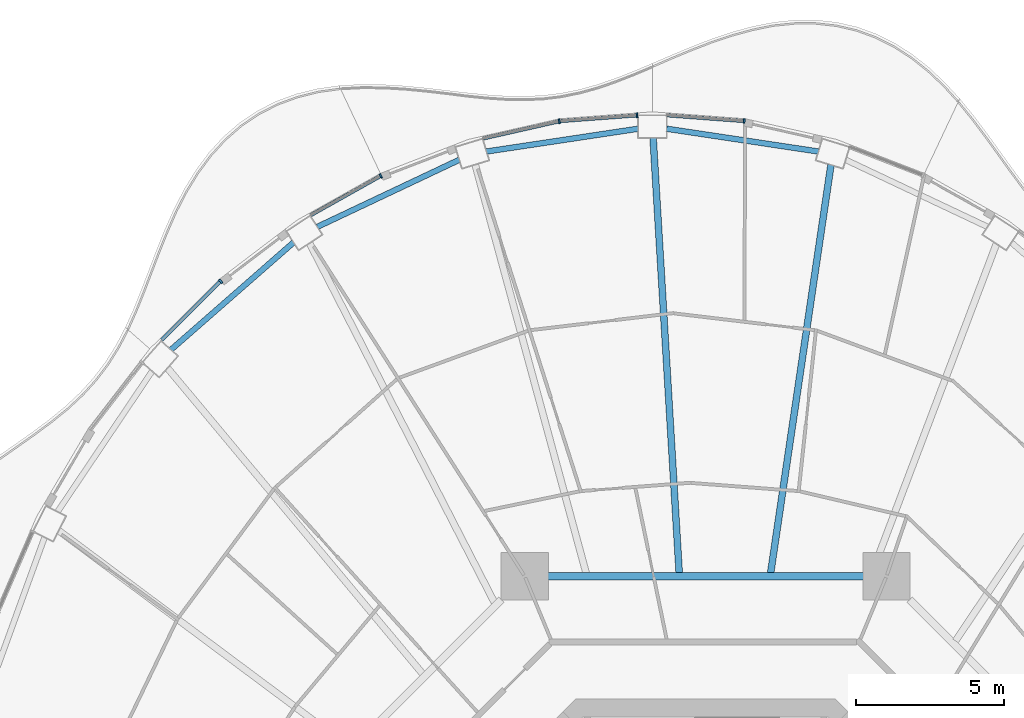
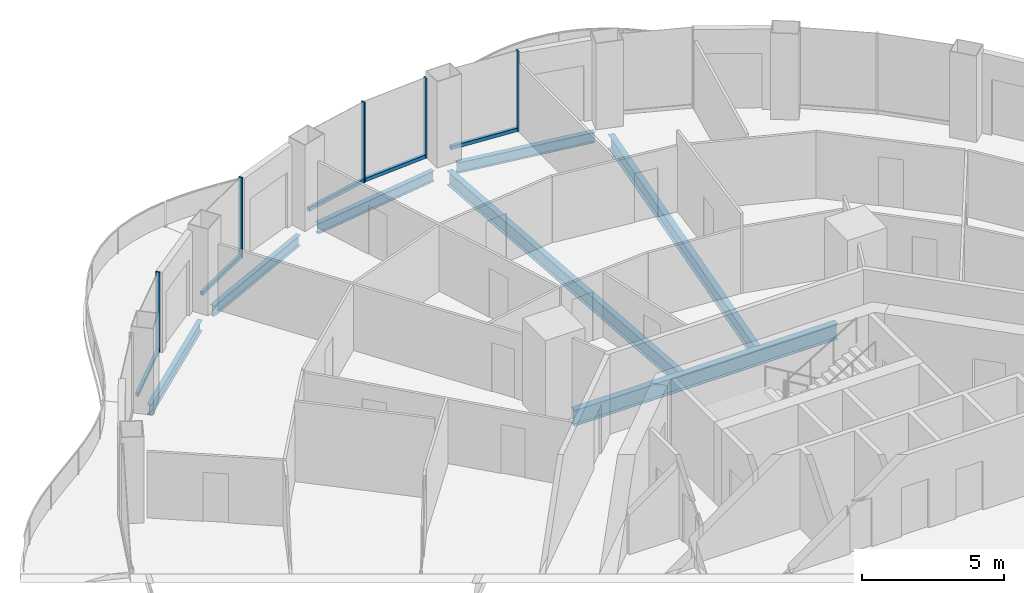
# One storey, part 6 of 18: 10 members, 7 beams, 5 elements without a shape of their own.
"""IFC4 building model written with IfcOpenShell, lengths in metres."""

from ifc_helpers import new_model, si_unit, direction, frame, origin, origin_2d, place, context, subcontext, project, spatial, rectangle, i_section, extrude, material, layer, layer_set, material_profile, profile_set, type_object, element, aggregate, save


model = new_model("IFC4")

# Units and contexts
model_context = context("Model", 3, precision=1e-05, world=origin(), true_north=direction((0.0, 1.0)))
body_context = subcontext(model_context, "Body", "Model", "MODEL_VIEW")
ifc_project = project(units=[si_unit("LENGTHUNIT", "METRE"), si_unit("AREAUNIT", "SQUARE_METRE"), si_unit("VOLUMEUNIT", "CUBIC_METRE"), si_unit("PLANEANGLEUNIT", "RADIAN"), si_unit("MASSUNIT", "GRAM", prefix="KILO")], contexts=[model_context])

# Site, building, storey
site_placement = place(None, origin())
site = spatial("IfcSite", under=ifc_project, at=site_placement, CompositionType="ELEMENT")
building_placement = place(site_placement, origin())
building = spatial("IfcBuilding", under=site, at=building_placement, Name="Nagisa Residences", CompositionType="ELEMENT")
storey_placement = place(building_placement, frame((0.0, 0.0, 219.60009765625)))
storey = spatial("IfcBuildingStorey", under=building, at=storey_placement, Name="L55", CompositionType="ELEMENT", Elevation=219.60009765625)

# Curtain wall, member
ifc_material_1 = material(Name="Concrete-coloured aluminium curtain wall system", Category="concrete")
ifc_layer = layer(ifc_material_1, 0.159912109375)
ifc_layer_set = layer_set([ifc_layer], Name="CW1 CURTAIN WALL")
curtain_wall_type = type_object("IfcCurtainWallType", Name="CW1 CURTAIN WALL", PredefinedType="NOTDEFINED", material=ifc_layer_set)
curtain_wall_1_placement = place(storey_placement, origin())
curtain_wall_1 = element("IfcCurtainWall", 1, at=curtain_wall_1_placement, inside=storey, type_object=curtain_wall_type, Name="cw:CW1:L55:11", PredefinedType="NOTDEFINED")
ifc_material_2 = material(Name="Concrete-coloured aluminium", Category="concrete")
ifc_material_profile_1 = material_profile(ifc_material_2, rectangle(XDim=0.159912109375, YDim=0.06005859375, at=origin_2d()), Name="CW1 MULLION 160x60")
ifc_profile_set_1 = profile_set([ifc_material_profile_1], Name="Concrete-coloured aluminium")
member_type_1 = type_object("IfcMemberType", Name="CW1 MULLION 160x60", PredefinedType="MULLION", material=ifc_profile_set_1)
member_1_placement = place(storey_placement, frame((1.305908203125, 30.19580078125, 0.0), z_axis=(0.0, 0.0, 1.0), x_axis=(-0.074377355493, -0.997230168512, 0.0)))
member_1 = element("IfcMember", 2, at=member_1_placement, type_object=member_type_1, Name="CW1 mullion", PredefinedType="MULLION", context=body_context, shape_type="SweptSolid", body=[
    extrude(rectangle(XDim=0.159912109375, YDim=0.06005859375, at=origin_2d()), origin(), (0.0, 0.0, 1.0), 3.43994140625),
])

curtain_wall_2_placement = place(storey_placement, origin())
curtain_wall_2 = element("IfcCurtainWall", 3, at=curtain_wall_2_placement, inside=storey, type_object=curtain_wall_type, Name="cw:CW1:L55:12", PredefinedType="NOTDEFINED")
member_2_placement = place(storey_placement, frame((-2.322509765625, 30.388427734375, 0.0), z_axis=(0.0, 0.0, 1.0), x_axis=(0.074377355493, -0.997230168512, 0.0)))
member_2 = element("IfcMember", 4, at=member_2_placement, type_object=member_type_1, Name="CW1 mullion", PredefinedType="MULLION", context=body_context, shape_type="SweptSolid", body=[
    extrude(rectangle(XDim=0.159912109375, YDim=0.06005859375, at=origin_2d()), origin(), (0.0, 0.0, 1.0), 3.43994140625),
])

curtain_wall_3_placement = place(storey_placement, origin())
curtain_wall_3 = element("IfcCurtainWall", 5, at=curtain_wall_3_placement, inside=storey, type_object=curtain_wall_type, Name="cw:CW1:L55:13", PredefinedType="NOTDEFINED")
member_3_placement = place(storey_placement, frame((-4.953369140625, 30.188720703125, 0.0), z_axis=(0.0, 0.0, 1.0), x_axis=(0.2207639201, -0.975327274089, 0.0)))
member_3 = element("IfcMember", 6, at=member_3_placement, type_object=member_type_1, Name="CW1 mullion", PredefinedType="MULLION", context=body_context, shape_type="SweptSolid", body=[
    extrude(rectangle(XDim=0.159912109375, YDim=0.06005859375, at=origin_2d()), origin(), (0.0, 0.0, 1.0), 3.43994140625),
])

curtain_wall_4_placement = place(storey_placement, origin())
curtain_wall_4 = element("IfcCurtainWall", 7, at=curtain_wall_4_placement, inside=storey, type_object=curtain_wall_type, Name="cw:CW1:L55:15", PredefinedType="NOTDEFINED")
member_4_placement = place(storey_placement, frame((-10.998291015625, 28.33837890625, 0.0), z_axis=(0.0, 0.0, 1.0), x_axis=(0.489376918501, -0.872072377523, 0.0)))
member_4 = element("IfcMember", 8, at=member_4_placement, type_object=member_type_1, Name="CW1 mullion", PredefinedType="MULLION", context=body_context, shape_type="SweptSolid", body=[
    extrude(rectangle(XDim=0.159912109375, YDim=0.06005859375, at=origin_2d()), origin(), (0.0, 0.0, 1.0), 3.43994140625),
])

curtain_wall_5_placement = place(storey_placement, origin())
curtain_wall_5 = element("IfcCurtainWall", 9, at=curtain_wall_5_placement, inside=storey, type_object=curtain_wall_type, Name="cw:CW1:L55:17", PredefinedType="NOTDEFINED")
member_5_placement = place(storey_placement, frame((-16.417724609375, 24.769775390625, 0.0), z_axis=(0.0, 0.0, 1.0), x_axis=(0.706376885714, -0.707835924016, 0.0)))
member_5 = element("IfcMember", 10, at=member_5_placement, type_object=member_type_1, Name="CW1 mullion", PredefinedType="MULLION", context=body_context, shape_type="SweptSolid", body=[
    extrude(rectangle(XDim=0.159912109375, YDim=0.06005859375, at=origin_2d()), origin(), (0.0, 0.0, 1.0), 3.43994140625),
])

# Member
ifc_material_3 = material(Name="Concrete-coloured aluminium", Category="concrete")
ifc_material_profile_2 = material_profile(ifc_material_3, rectangle(XDim=0.1201171875, YDim=0.14990234375, at=origin_2d()), Name="CW1 TRANSOM 120x150")
ifc_profile_set_2 = profile_set([ifc_material_profile_2], Name="Concrete-coloured aluminium")
member_type_2 = type_object("IfcMemberType", Name="CW1 TRANSOM 120x150", PredefinedType="USERDEFINED", material=ifc_profile_set_2)
member_6_placement = place(storey_placement, frame((1.335693359375, 30.193603515625, 0.074951171875), z_axis=(-0.997233213085, 0.074336523458, 0.0), x_axis=(-0.074336523458, -0.997233213085, 0.0)))
member_6 = element("IfcMember", 11, at=member_6_placement, type_object=member_type_2, Name="CW1 transom", ObjectType="TRANSOM", PredefinedType="USERDEFINED", context=body_context, shape_type="SweptSolid", body=[
    extrude(rectangle(XDim=0.1201171875, YDim=0.14990234375, at=origin_2d()), origin(), (0.0, 0.0, 1.0), 2.650390625),
])

aggregate(curtain_wall_1, [member_1, member_6])

member_7_placement = place(storey_placement, frame((-2.292724609375, 30.390625, 0.074951171875), z_axis=(-0.997233213085, -0.074336523458, 0.0), x_axis=(0.074336523458, -0.997233213085, 0.0)))
member_7 = element("IfcMember", 12, at=member_7_placement, type_object=member_type_2, Name="CW1 transom", ObjectType="TRANSOM", PredefinedType="USERDEFINED", context=body_context, shape_type="SweptSolid", body=[
    extrude(rectangle(XDim=0.1201171875, YDim=0.14990234375, at=origin_2d()), origin(), (0.0, 0.0, 1.0), 2.650390625),
])

aggregate(curtain_wall_2, [member_2, member_7])

member_8_placement = place(storey_placement, frame((-4.924072265625, 30.1953125, 0.074951171875), z_axis=(-0.975324089124, -0.220777990694, 0.0), x_axis=(0.220777990694, -0.975324089124, 0.0)))
member_8 = element("IfcMember", 13, at=member_8_placement, type_object=member_type_2, Name="CW1 transom", ObjectType="TRANSOM", PredefinedType="USERDEFINED", context=body_context, shape_type="SweptSolid", body=[
    extrude(rectangle(XDim=0.1201171875, YDim=0.14990234375, at=origin_2d()), origin(), (0.0, 0.0, 1.0), 2.666015625),
])

aggregate(curtain_wall_3, [member_3, member_8])

member_9_placement = place(storey_placement, frame((-10.971923828125, 28.35302734375, 0.074951171875), z_axis=(-0.872063230277, -0.489393218586, 0.0), x_axis=(0.489393218586, -0.872063230277, 0.0)))
member_9 = element("IfcMember", 14, at=member_9_placement, type_object=member_type_2, Name="CW1 transom", ObjectType="TRANSOM", PredefinedType="USERDEFINED", context=body_context, shape_type="SweptSolid", body=[
    extrude(rectangle(XDim=0.1201171875, YDim=0.14990234375, at=origin_2d()), origin(), (0.0, 0.0, 1.0), 2.73828125),
])

aggregate(curtain_wall_4, [member_4, member_9])

member_10_placement = place(storey_placement, frame((-16.396484375, 24.791015625, 0.074951171875), z_axis=(-0.707836044127, -0.706376765356, 0.0), x_axis=(0.706376765356, -0.707836044127, 0.0)))
member_10 = element("IfcMember", 15, at=member_10_placement, type_object=member_type_2, Name="CW1 transom", ObjectType="TRANSOM", PredefinedType="USERDEFINED", context=body_context, shape_type="SweptSolid", body=[
    extrude(rectangle(XDim=0.1201171875, YDim=0.14990234375, at=origin_2d()), origin(), (0.0, 0.0, 1.0), 2.84423828125),
])

aggregate(curtain_wall_5, [member_5, member_10])

# Beams
ifc_material_4 = material(Name="Steel ASTM A572 Gr 50", Category="steel")
ifc_material_profile_3 = material_profile(ifc_material_4, i_section(OverallWidth=0.2529296875, OverallDepth=0.677978515625, WebThickness=0.01171875, FlangeThickness=0.016357421875, at=origin_2d()), Name="W690x125")
ifc_profile_set_3 = profile_set([ifc_material_profile_3], Name="Steel ASTM A572 Gr 50")
beam_type_1 = type_object("IfcBeamType", Name="Inner ring beam W690x125", PredefinedType="BEAM", material=ifc_profile_set_3)
beam_1_placement = place(storey_placement, frame((5.343017578125, 14.781982421875, -0.59912109375), z_axis=(-1.0, 0.0, 0.0), x_axis=(0.0, -1.0, 0.0)))
element("IfcBeam", 16, at=beam_1_placement, inside=storey, type_object=beam_type_1, Name="beam:L55:ib2", PredefinedType="BEAM", context=body_context, shape_type="SweptSolid", body=[
    extrude(i_section(OverallWidth=0.2529296875, OverallDepth=0.677978515625, WebThickness=0.01171875, FlangeThickness=0.016357421875, at=origin_2d()), origin(), (0.0, 0.0, 1.0), 10.68603515625),
])
ifc_material_5 = material(Name="Steel ASTM A572 Gr 50", Category="steel")
ifc_material_profile_4 = material_profile(ifc_material_5, i_section(OverallWidth=0.18994140625, OverallDepth=0.45703125, WebThickness=0.009033203125, FlangeThickness=0.014404296875, at=origin_2d()), Name="W460x74")
ifc_profile_set_4 = profile_set([ifc_material_profile_4], Name="Steel ASTM A572 Gr 50")
beam_type_2 = type_object("IfcBeamType", Name="Perimeter ring beam W460x74", PredefinedType="BEAM", material=ifc_profile_set_4)
for number, where, z_axis, x_axis, name in (
    (17, (3.8203125, 29.16357421875, -0.488525390625), (-0.988909463745, 0.148519603133, 0.0), (-0.148519603133, -0.988909463745, 0.0), "beam:L55:pb06"),
    (18, (-2.2802734375, 29.935546875, -0.488525390625), (-0.988909463745, -0.148519603133, 0.0), (0.148519603133, -0.988909463745, 0.0), "beam:L55:pb07"),
):
    element("IfcBeam", number, at=place(storey_placement, frame(where, z_axis=z_axis, x_axis=x_axis)), inside=storey, type_object=beam_type_2, Name=name, PredefinedType="BEAM", context=body_context, shape_type="SweptSolid", body=[
        extrude(i_section(OverallWidth=0.18994140625, OverallDepth=0.45703125, WebThickness=0.009033203125, FlangeThickness=0.014404296875, at=origin_2d()), origin(), (0.0, 0.0, 1.0), 5.19775390625),
    ])
beam_2_placement = place(storey_placement, frame((-8.339111328125, 28.884033203125, -0.488525390625), z_axis=(-0.904133867308, -0.42724928319, 0.0), x_axis=(0.42724928319, -0.904133867308, 0.0)))
element("IfcBeam", 19, at=beam_2_placement, inside=storey, type_object=beam_type_2, Name="beam:L55:pb08", PredefinedType="BEAM", context=body_context, shape_type="SweptSolid", body=[
    extrude(i_section(OverallWidth=0.18994140625, OverallDepth=0.45703125, WebThickness=0.009033203125, FlangeThickness=0.014404296875, at=origin_2d()), origin(), (0.0, 0.0, 1.0), 5.317138671875),
])
beam_3_placement = place(storey_placement, frame((-13.94970703125, 26.085693359375, -0.488525390625), z_axis=(-0.75242320672, -0.65867998147, 0.0), x_axis=(0.65867998147, -0.75242320672, 0.0)))
element("IfcBeam", 20, at=beam_3_placement, inside=storey, type_object=beam_type_2, Name="beam:L55:pb09", PredefinedType="BEAM", context=body_context, shape_type="SweptSolid", body=[
    extrude(i_section(OverallWidth=0.18994140625, OverallDepth=0.45703125, WebThickness=0.009033203125, FlangeThickness=0.014404296875, at=origin_2d()), origin(), (0.0, 0.0, 1.0), 5.5185546875),
])
ifc_material_6 = material(Name="Steel ASTM A572 Gr 50", Category="steel")
ifc_material_profile_5 = material_profile(ifc_material_6, i_section(OverallWidth=0.22802734375, OverallDepth=0.60302734375, WebThickness=0.010498046875, FlangeThickness=0.014892578125, at=origin_2d()), Name="W610x101")
ifc_profile_set_5 = profile_set([ifc_material_profile_5], Name="Steel ASTM A572 Gr 50")
beam_type_3 = type_object("IfcBeamType", Name="Radial beam W610x101", PredefinedType="BEAM", material=ifc_profile_set_5)
beam_4_placement = place(storey_placement, frame((4.244140625, 28.711181640625, -0.5615234375), z_axis=(-0.146228868188, -0.989250786256, 0.0), x_axis=(0.989250786256, -0.146228868188, 0.0)))
element("IfcBeam", 21, at=beam_4_placement, inside=storey, type_object=beam_type_3, Name="beam:L55:rb06", PredefinedType="BEAM", context=body_context, shape_type="SweptSolid", body=[
    extrude(i_section(OverallWidth=0.22802734375, OverallDepth=0.60302734375, WebThickness=0.010498046875, FlangeThickness=0.014892578125, at=origin_2d()), origin(), (0.0, 0.0, 1.0), 13.97265625),
])
beam_5_placement = place(storey_placement, frame((-1.777099609375, 29.627685546875, -0.5615234375), z_axis=(0.059871531939, -0.998206090776, 0.0), x_axis=(0.998206090776, 0.059871531939, 0.0)))
element("IfcBeam", 22, at=beam_5_placement, inside=storey, type_object=beam_type_3, Name="beam:L55:rb07", PredefinedType="BEAM", context=body_context, shape_type="SweptSolid", body=[
    extrude(i_section(OverallWidth=0.22802734375, OverallDepth=0.60302734375, WebThickness=0.010498046875, FlangeThickness=0.014892578125, at=origin_2d()), origin(), (0.0, 0.0, 1.0), 14.765380859375),
])

save(model, "model.ifc")
